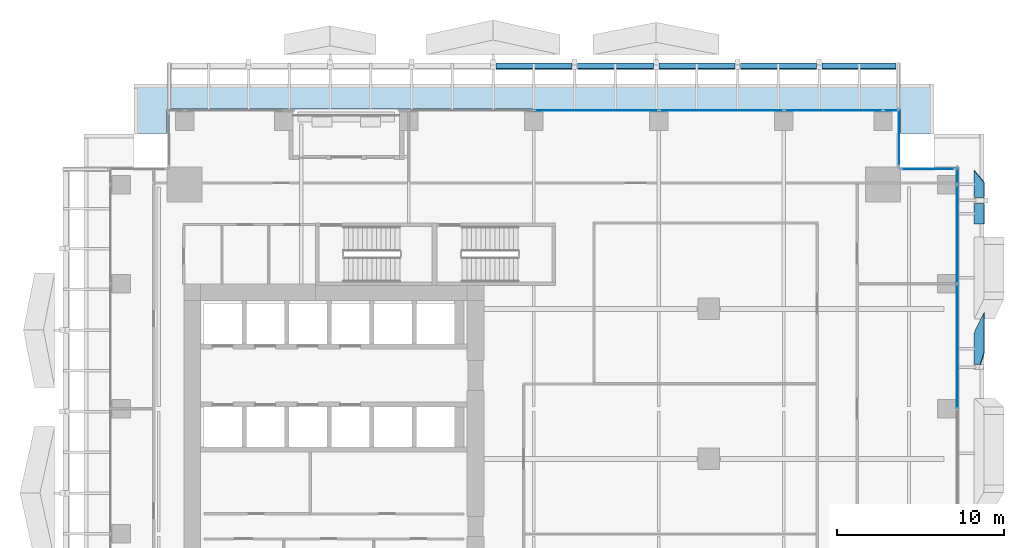
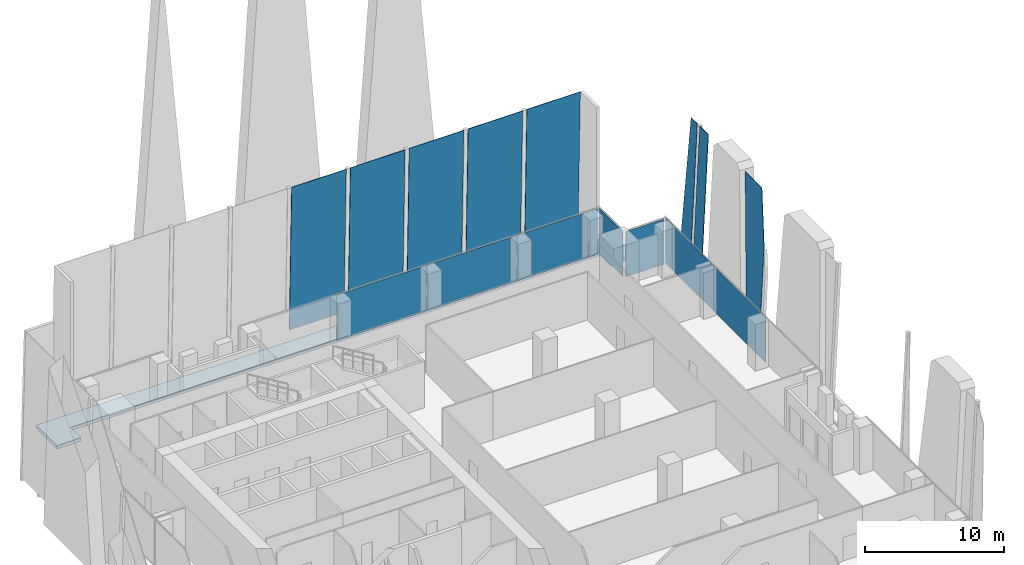
# One storey, part 27 of 37: 17 plates, 1 slab, 4 elements without a shape of their own.
"""IFC4 building model written with IfcOpenShell, lengths in metres."""

from ifc_helpers import new_model, si_unit, direction, frame, origin, origin_2d, place, context, subcontext, project, spatial, polyline, rectangle, outline, extrude, source, transform, mapped, material, layer, layer_set, type_object, element, aggregate, save


model = new_model("IFC4")

# Units and contexts
model_context = context("Model", 3, precision=1e-05, world=origin(), true_north=direction((0.0, 1.0)))
body_context = subcontext(model_context, "Body", "Model", "MODEL_VIEW")
ifc_project = project(units=[si_unit("LENGTHUNIT", "METRE"), si_unit("AREAUNIT", "SQUARE_METRE"), si_unit("VOLUMEUNIT", "CUBIC_METRE"), si_unit("PLANEANGLEUNIT", "RADIAN"), si_unit("MASSUNIT", "GRAM", prefix="KILO")], contexts=[model_context])

# Site, building, storey
site_placement = place(None, origin())
site = spatial("IfcSite", under=ifc_project, at=site_placement, CompositionType="ELEMENT")
building_placement = place(site_placement, origin())
building = spatial("IfcBuilding", under=site, at=building_placement, Name="Khomas Fold Tower", CompositionType="ELEMENT")
storey_placement = place(building_placement, frame((0.0, 0.0, 101.5)))
storey = spatial("IfcBuildingStorey", under=building, at=storey_placement, Name="L21", CompositionType="ELEMENT", Elevation=101.5)

# Plates
ifc_material_1 = material(Name="Clear laminated glass", Category="glass")
ifc_layer_1 = layer(ifc_material_1, 0.0400390625)
ifc_layer_set_1 = layer_set([ifc_layer_1], Name="Clear laminated glass")
plate_type_1 = type_object("IfcPlateType", Name="SK-Clear laminated glass leaf", PredefinedType="SHEET", material=ifc_layer_set_1)
plate_1_placement = place(storey_placement, frame((54.005126953125, 37.900634765625, 12.75), z_axis=(-0.998875178973, -3.2073095e-05, 0.047417041273), x_axis=(-3.2037018e-05, 0.999999999486, 1.520811e-06)))
element("IfcPlate", 1, at=plate_1_placement, inside=storey, type_object=plate_type_1, Name="OUTER SKIN glass L21 EG105-9", PredefinedType="SHEET", context=body_context, shape_type="SweptSolid", body=[
    extrude(outline(polyline([(0.0, 0.0), (2.390624998770402, 5.062345348824529e-22), (1.150390623656634, 12.764356498752447), (-0.7307128910008361, 12.764356498752447), (-0.7307128953950923, 4.79175921441491), (0.0, 0.0)])), origin(), (0.0, 0.0, -1.0), 0.0400390625),
])
plate_2_placement = place(storey_placement, frame((54.005126953125, 45.60009765625, 12.75), z_axis=(-0.998875266546, 0.0, 0.047415207295), x_axis=(0.0, 1.0, 0.0)))
element("IfcPlate", 2, at=plate_2_placement, inside=storey, type_object=plate_type_1, Name="OUTER SKIN glass L21 EG106-10", PredefinedType="SHEET", context=body_context, shape_type="SweptSolid", body=[
    extrude(outline(polyline([(0.0, 0.0), (1.22998046875, 0.0), (1.22998046875, 12.764356498773965), (0.0, 12.764356498773965), (0.0, 0.0)])), origin(), (0.0, 0.0, -1.0), 0.0400390625),
])
plate_3_placement = place(storey_placement, frame((54.005126953125, 48.073486328125, 12.75), z_axis=(-0.998875266546, 0.0, 0.047415207295), x_axis=(-0.047338682976, 0.056791142868, -0.997263162453)))
element("IfcPlate", 3, at=plate_3_placement, inside=storey, type_object=plate_type_1, Name="OUTER SKIN glass L21 EG107-12", PredefinedType="SHEET", context=body_context, shape_type="SweptSolid", body=[
    extrude(outline(polyline([(0.0, 0.0), (12.784990441878577, 0.0), (12.692441399241, 1.6270085665347254), (-0.05131445794781583, 0.9021061729955084), (0.0, 0.0)])), origin(), (0.0, 0.0, -1.0), 0.0400390625),
])
for number, where, z_axis, x_axis, name in (
    (4, (24.7255859375, 55.239990234375, 0.0009765625), (0.0, 0.9996570913, 0.026185870498), (1.0, 0.0, 0.0), "OUTER SKIN glass L21 N9"),
    (5, (29.614501953125, 55.239990234375, 0.0009765625), (0.0, 0.9996570913, 0.026185870498), (1.0, 0.0, 0.0), "OUTER SKIN glass L21 N11"),
    (6, (34.50341796875, 55.239990234375, 0.0009765625), (0.0, 0.9996570913, 0.026185870498), (1.0, 0.0, 0.0), "OUTER SKIN glass L21 N13"),
    (7, (39.392333984375, 55.239990234375, 0.0009765625), (0.0, 0.9996570913, 0.026185870498), (1.0, 0.0, 0.0), "OUTER SKIN glass L21 N15"),
):
    element("IfcPlate", number, at=place(storey_placement, frame(where, z_axis=z_axis, x_axis=x_axis)), inside=storey, type_object=plate_type_1, Name=name, PredefinedType="SHEET", context=body_context, shape_type="SweptSolid", body=[
        extrude(outline(polyline([(0.0, 0.0), (4.548828125, 0.0), (4.548828125, -12.754373585666377), (0.0, -12.754373585666377), (0.0, 0.0)])), origin(), (0.0, 0.0, -1.0), 0.0400390625),
    ])
plate_4_placement = place(storey_placement, frame((44.281005859375, 55.239990234375, 0.0009765625), z_axis=(0.0, 0.9996570913, 0.026185870498), x_axis=(1.0, 0.0, 0.0)))
element("IfcPlate", 8, at=plate_4_placement, inside=storey, type_object=plate_type_1, Name="OUTER SKIN glass L21 N17", PredefinedType="SHEET", context=body_context, shape_type="SweptSolid", body=[
    extrude(outline(polyline([(0.0, 0.0), (4.448974609375, 0.0), (4.448974609375, -12.754373585666377), (0.0, -12.754373585666377), (0.0, 0.0)])), origin(), (0.0, 0.0, -1.0), 0.0400390625),
])

# Slab
ifc_material_2 = material(Name="Concrete C40/50", Category="concrete")
ifc_layer_2 = layer(ifc_material_2, 0.300048828125)
ifc_layer_set_2 = layer_set([ifc_layer_2], Name="Concrete C40/50")
slab_type = type_object("IfcSlabType", Name="RC roof slab 300", PredefinedType="ROOF", material=ifc_layer_set_2)
shared_shape_1 = source(origin(), body_context, "Body", "SweptSolid", [
    extrude(outline(polyline([(3.0, 51.0048828125), (5.0, 51.0048828125), (5.0, 52.5), (49.0, 52.5), (49.0, 51.0048828125), (51.0, 51.0048828125), (51.0, 54.0), (3.0, 54.0), (3.0, 51.0048828125)])), origin(), (0.0, 0.0, 1.0), 0.300048828125),
])
slab_placement = place(storey_placement, frame((0.0, 0.0, -0.300048828125)))
element("IfcSlab", 9, at=slab_placement, inside=storey, type_object=slab_type, Name="Setback roof slab", PredefinedType="ROOF", context=body_context, shape_type="MappedRepresentation", body=[
    mapped(shared_shape_1, transform((0.0, 0.0, 0.0))),
])

# Curtain wall, plate
ifc_material_3 = material(Name="Aluminium framed double glazing", Category="aluminium")
curtain_wall_type = type_object("IfcCurtainWallType", Name="SK-Unitised clear-glass wall, growing floors CW1", PredefinedType="NOTDEFINED", material=ifc_material_3)
curtain_wall_1_placement = place(storey_placement, origin())
curtain_wall_1 = element("IfcCurtainWall", 10, at=curtain_wall_1_placement, inside=storey, type_object=curtain_wall_type, Name="CW1 run L21 06-0", PredefinedType="NOTDEFINED")
ifc_material_4 = material(Name="Clear double glazed unit")
ifc_layer_3 = layer(ifc_material_4, 0.031982421875)
ifc_layer_set_3 = layer_set([ifc_layer_3], Name="Clear double glazed unit")
plate_type_2 = type_object("IfcPlateType", Name="SK-Unitised clear-glass wall, growing floors glass panel CW1-P", PredefinedType="CURTAIN_PANEL", material=ifc_layer_set_3)
shared_shape_2 = source(origin(), body_context, "Body", "SweptSolid", [
    extrude(rectangle(XDim=0.760009765625, YDim=0.031982421875, at=origin_2d()), origin(), (0.0, 0.0, 1.0), 3.97998046875),
])
plate_5_placement = place(storey_placement, frame((48.360107421875, 52.39990234375, 0.0), z_axis=(0.0, 0.0, 1.0), x_axis=(-1.0, 0.0, 0.0)))
plate_5 = element("IfcPlate", 11, at=plate_5_placement, type_object=plate_type_2, Name="CW1 glass panel 1", PredefinedType="CURTAIN_PANEL", context=body_context, shape_type="MappedRepresentation", body=[
    mapped(shared_shape_2, transform((0.0, 0.0, 0.0))),
])

curtain_wall_2_placement = place(storey_placement, origin())
curtain_wall_2 = element("IfcCurtainWall", 12, at=curtain_wall_2_placement, inside=storey, type_object=curtain_wall_type, Name="CW1 run L21 03-1", PredefinedType="NOTDEFINED")
shared_shape_3 = source(origin(), body_context, "Body", "SweptSolid", [
    extrude(rectangle(XDim=5.889892578125, YDim=0.031982421875, at=origin_2d()), origin(), (0.0, 0.0, 1.0), 3.97998046875),
])
plate_6_placement = place(storey_placement, frame((52.39990234375, 44.97509765625, 0.0), z_axis=(0.0, 0.0, 1.0), x_axis=(0.0, 1.0, 0.0)))
plate_6 = element("IfcPlate", 13, at=plate_6_placement, type_object=plate_type_2, Name="CW1 glass panel 4", PredefinedType="CURTAIN_PANEL", context=body_context, shape_type="MappedRepresentation", body=[
    mapped(shared_shape_3, transform((0.0, 0.0, 0.0))),
])

# Plate
plate_7_placement = place(storey_placement, frame((44.97509765625, 52.39990234375, 0.0), z_axis=(0.0, 0.0, 1.0), x_axis=(-1.0, 0.0, 0.0)))
plate_7 = element("IfcPlate", 14, at=plate_7_placement, type_object=plate_type_2, Name="CW1 glass panel 2", PredefinedType="CURTAIN_PANEL", context=body_context, shape_type="MappedRepresentation", body=[
    mapped(shared_shape_3, transform((0.0, 0.0, 0.0))),
])

shared_shape_4 = source(origin(), body_context, "Body", "SweptSolid", [
    extrude(rectangle(XDim=7.43994140625, YDim=0.031982421875, at=origin_2d()), origin(), (0.0, 0.0, 1.0), 3.97998046875),
])
plate_8_placement = place(storey_placement, frame((52.39990234375, 38.25, 0.0), z_axis=(0.0, 0.0, 1.0), x_axis=(0.0, 1.0, 0.0)))
plate_8 = element("IfcPlate", 15, at=plate_8_placement, type_object=plate_type_2, Name="CW1 glass panel 3", PredefinedType="CURTAIN_PANEL", context=body_context, shape_type="MappedRepresentation", body=[
    mapped(shared_shape_4, transform((0.0, 0.0, 0.0))),
])

plate_9_placement = place(storey_placement, frame((38.25, 52.39990234375, 0.0), z_axis=(0.0, 0.0, 1.0), x_axis=(-1.0, 0.0, 0.0)))
plate_9 = element("IfcPlate", 16, at=plate_9_placement, type_object=plate_type_2, Name="CW1 glass panel 3", PredefinedType="CURTAIN_PANEL", context=body_context, shape_type="MappedRepresentation", body=[
    mapped(shared_shape_4, transform((0.0, 0.0, 0.0))),
])

plate_10_placement = place(storey_placement, frame((30.75, 52.39990234375, 0.0), z_axis=(0.0, 0.0, 1.0), x_axis=(-1.0, 0.0, 0.0)))
plate_10 = element("IfcPlate", 17, at=plate_10_placement, type_object=plate_type_2, Name="CW1 glass panel 4", PredefinedType="CURTAIN_PANEL", context=body_context, shape_type="MappedRepresentation", body=[
    mapped(shared_shape_4, transform((0.0, 0.0, 0.0))),
])

aggregate(curtain_wall_1, [plate_5, plate_7, plate_9, plate_10])

shared_shape_5 = source(origin(), body_context, "Body", "SweptSolid", [
    extrude(rectangle(XDim=0.9599609375, YDim=0.031982421875, at=origin_2d()), origin(), (0.0, 0.0, 1.0), 3.97998046875),
])
plate_11_placement = place(storey_placement, frame((52.39990234375, 48.4599609375, 0.0), z_axis=(0.0, 0.0, 1.0), x_axis=(0.0, 1.0, 0.0)))
plate_11 = element("IfcPlate", 18, at=plate_11_placement, type_object=plate_type_2, Name="CW1 glass panel 5", PredefinedType="CURTAIN_PANEL", context=body_context, shape_type="MappedRepresentation", body=[
    mapped(shared_shape_5, transform((0.0, 0.0, 0.0))),
])

aggregate(curtain_wall_2, [plate_8, plate_6, plate_11])

# Curtain wall, plate
curtain_wall_3_placement = place(storey_placement, origin())
curtain_wall_3 = element("IfcCurtainWall", 19, at=curtain_wall_3_placement, inside=storey, type_object=curtain_wall_type, Name="CW1 corner return L21 04", PredefinedType="NOTDEFINED")
shared_shape_6 = source(origin(), body_context, "Body", "SweptSolid", [
    extrude(rectangle(XDim=3.179931640625, YDim=0.031982421875, at=origin_2d()), origin(), (0.0, 0.0, 1.0), 3.97998046875),
])
plate_12_placement = place(storey_placement, frame((50.64990234375, 48.89990234375, 0.0), z_axis=(0.0, 0.0, 1.0), x_axis=(-1.0, 0.0, 0.0)))
plate_12 = element("IfcPlate", 20, at=plate_12_placement, type_object=plate_type_2, Name="CW1 glass panel 1", PredefinedType="CURTAIN_PANEL", context=body_context, shape_type="MappedRepresentation", body=[
    mapped(shared_shape_6, transform((0.0, 0.0, 0.0))),
])
aggregate(curtain_wall_3, [plate_12])

curtain_wall_4_placement = place(storey_placement, origin())
curtain_wall_4 = element("IfcCurtainWall", 21, at=curtain_wall_4_placement, inside=storey, type_object=curtain_wall_type, Name="CW1 corner return L21 05", PredefinedType="NOTDEFINED")
shared_shape_7 = source(origin(), body_context, "Body", "SweptSolid", [
    extrude(rectangle(XDim=3.3798828125, YDim=0.031982421875, at=origin_2d()), origin(), (0.0, 0.0, 1.0), 3.97998046875),
])
plate_13_placement = place(storey_placement, frame((48.89990234375, 50.75, 0.0), z_axis=(0.0, 0.0, 1.0), x_axis=(0.0, 1.0, 0.0)))
plate_13 = element("IfcPlate", 22, at=plate_13_placement, type_object=plate_type_2, Name="CW1 glass panel 1", PredefinedType="CURTAIN_PANEL", context=body_context, shape_type="MappedRepresentation", body=[
    mapped(shared_shape_7, transform((0.0, 0.0, 0.0))),
])
aggregate(curtain_wall_4, [plate_13])

save(model, "model.ifc")
